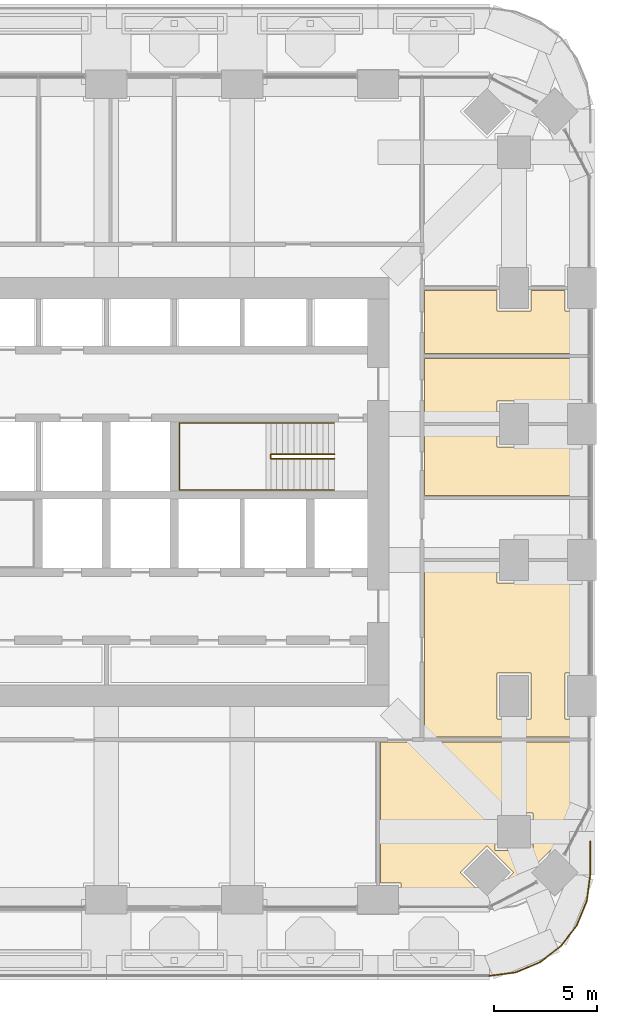
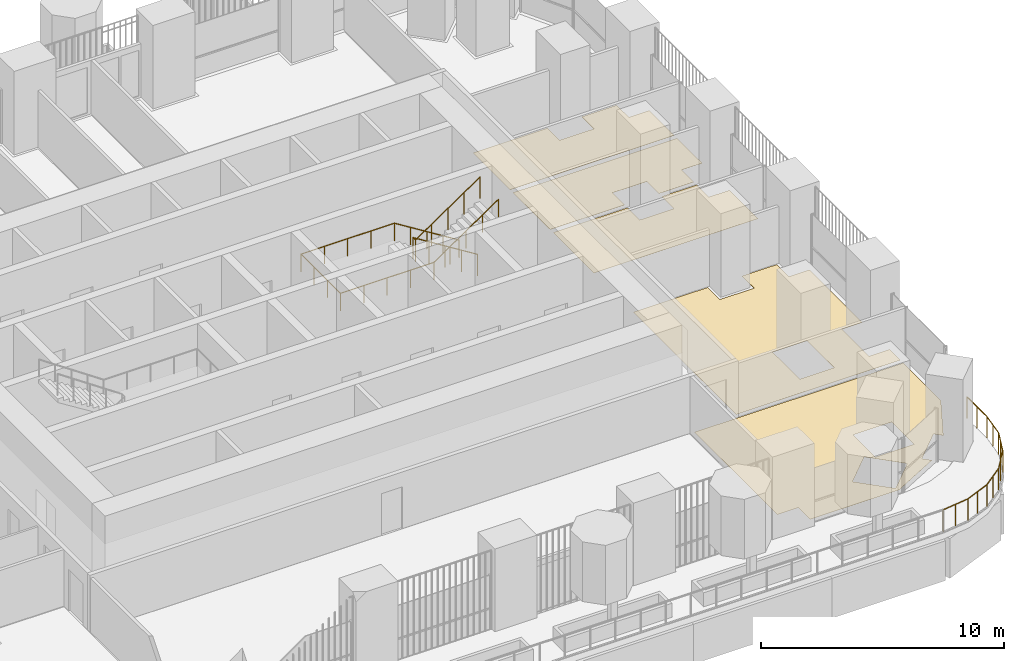
# One storey, part 19 of 22: 5 coverings, 3 railings.
"""IFC4 building model written with IfcOpenShell, lengths in metres."""

from ifc_helpers import new_model, si_unit, direction, frame, origin, place, context, subcontext, project, spatial, polyline, outline, extrude, material, layer, layer_set, type_object, element, save


model = new_model("IFC4")

# Units and contexts
model_context = context("Model", 3, precision=1e-05, world=origin(), true_north=direction((0.0, 1.0)))
body_context = subcontext(model_context, "Body", "Model", "MODEL_VIEW")
ifc_project = project(units=[si_unit("LENGTHUNIT", "METRE"), si_unit("AREAUNIT", "SQUARE_METRE"), si_unit("VOLUMEUNIT", "CUBIC_METRE"), si_unit("PLANEANGLEUNIT", "RADIAN"), si_unit("MASSUNIT", "GRAM", prefix="KILO")], contexts=[model_context])

# Site, building, storey
site_placement = place(None, origin())
site = spatial("IfcSite", under=ifc_project, at=site_placement, CompositionType="ELEMENT")
building_placement = place(site_placement, origin())
building = spatial("IfcBuilding", under=site, at=building_placement, Name="Cobogo Forest Laboratory Tower", CompositionType="ELEMENT")
storey_placement = place(building_placement, frame((0.0, 0.0, 155.699951171875)))
storey = spatial("IfcBuildingStorey", under=building, at=storey_placement, Name="L35", CompositionType="ELEMENT", Elevation=155.699951171875)

# Railing
ifc_material_1 = material(Name="Laminated glass balustrade", Category="glass")
railing_type_1 = type_object("IfcRailingType", Name="BG1 glass balustrade 1100", PredefinedType="GUARDRAIL", material=ifc_material_1)
railing_1_placement = place(storey_placement, frame((44.996826171875, -0.39990234375, 0.06005859375)))
element("IfcRailing", 1, at=railing_1_placement, inside=storey, type_object=railing_type_1, Name="Terrace balustrade TER-S L35", PredefinedType="GUARDRAIL", context=body_context, shape_type="SweptSolid", body=[
    extrude(outline(polyline([(0.022216796875, 0.00927734375), (0.00927734375, 0.022216796875), (-0.00927734375, 0.022216796875), (-0.022216796875, 0.00927734375), (-0.022216796875, -0.00927734375), (-0.00927734375, -0.022216796875), (0.00927734375, -0.022216796875), (0.022216796875, -0.00927734375), (0.022216796875, 0.00927734375)])), frame((0.0, 0.0, 1.077880859375), z_axis=(0.991457535682, 0.130429885144, 0.0), x_axis=(-0.130429885144, 0.991457535682, 0.0)), (0.0, 0.0, 1.0), 1.2822265625),
    extrude(outline(polyline([(0.022216796875, 0.00927734375), (0.00927734375, 0.022216796875), (-0.00927734375, 0.022216796875), (-0.022216796875, 0.00927734375), (-0.022216796875, -0.00927734375), (-0.00927734375, -0.022216796875), (0.00927734375, -0.022216796875), (0.022216796875, -0.00927734375), (0.022216796875, 0.00927734375)])), frame((1.271240234375, 0.167236328125, 1.077880859375), z_axis=(0.923865605463, 0.382717053503, 0.0), x_axis=(-0.382717053503, 0.923865605463, 0.0)), (0.0, 0.0, 1.0), 1.279052734375),
    extrude(outline(polyline([(0.022216796875, 0.00927734375), (0.00927734375, 0.022216796875), (-0.00927734375, 0.022216796875), (-0.022216796875, 0.00927734375), (-0.022216796875, -0.00927734375), (-0.00927734375, -0.022216796875), (0.00927734375, -0.022216796875), (0.022216796875, -0.00927734375), (0.022216796875, 0.00927734375)])), frame((2.452880859375, 0.65673828125, 1.077880859375), z_axis=(0.793425077956, 0.608667927256, 0.0), x_axis=(-0.608667927256, 0.793425077956, 0.0)), (0.0, 0.0, 1.0), 1.279052734375),
    extrude(outline(polyline([(0.022216796875, 0.00927734375), (0.00927734375, 0.022216796875), (-0.00927734375, 0.022216796875), (-0.022216796875, 0.00927734375), (-0.022216796875, -0.00927734375), (-0.00927734375, -0.022216796875), (0.00927734375, -0.022216796875), (0.022216796875, -0.00927734375), (0.022216796875, 0.00927734375)])), frame((3.4677734375, 1.435302734375, 1.077880859375), z_axis=(0.608667927256, 0.793425077956, 0.0), x_axis=(-0.793425077956, 0.608667927256, 0.0)), (0.0, 0.0, 1.0), 1.279052734375),
    extrude(outline(polyline([(0.022216796875, 0.00927734375), (0.00927734375, 0.022216796875), (-0.00927734375, 0.022216796875), (-0.022216796875, 0.00927734375), (-0.022216796875, -0.00927734375), (-0.00927734375, -0.022216796875), (0.00927734375, -0.022216796875), (0.022216796875, -0.00927734375), (0.022216796875, 0.00927734375)])), frame((4.246337890625, 2.4501953125, 1.077880859375), z_axis=(0.382717053503, 0.923865605463, 0.0), x_axis=(-0.923865605463, 0.382717053503, 0.0)), (0.0, 0.0, 1.0), 1.279052734375),
    extrude(outline(polyline([(0.022216796875, 0.00927734375), (0.00927734375, 0.022216796875), (-0.00927734375, 0.022216796875), (-0.022216796875, 0.00927734375), (-0.022216796875, -0.00927734375), (-0.00927734375, -0.022216796875), (0.00927734375, -0.022216796875), (0.022216796875, -0.00927734375), (0.022216796875, 0.00927734375)])), frame((4.73583984375, 3.6318359375, 1.077880859375), z_axis=(0.130429885144, 0.991457535682, 0.0), x_axis=(-0.991457535682, 0.130429885144, 0.0)), (0.0, 0.0, 1.0), 1.2822265625),
    extrude(outline(polyline([(0.022216796875, 0.00927734375), (0.00927734375, 0.022216796875), (-0.00927734375, 0.022216796875), (-0.022216796875, 0.00927734375), (-0.022216796875, -0.00927734375), (-0.00927734375, -0.022216796875), (0.00927734375, -0.022216796875), (0.022216796875, -0.00927734375), (0.022216796875, 0.00927734375)])), frame((4.903076171875, 4.903076171875, 1.077880859375), z_axis=(0.0, 1.0, 0.0), x_axis=(-1.0, 0.0, 0.0)), (0.0, 0.0, 1.0), 1.638916015625),
    extrude(outline(polyline([(0.019287109375, 0.008056640625), (0.008056640625, 0.019287109375), (-0.008056640625, 0.019287109375), (-0.019287109375, 0.008056640625), (-0.019287109375, -0.008056640625), (-0.008056640625, -0.019287109375), (0.008056640625, -0.019287109375), (0.019287109375, -0.008056640625), (0.019287109375, 0.008056640625)])), origin(), (0.0, 0.0, 1.0), 1.077880859375),
    extrude(outline(polyline([(0.019287109375, 0.008056640625), (0.008056640625, 0.019287109375), (-0.008056640625, 0.019287109375), (-0.019287109375, 0.008056640625), (-0.019287109375, -0.008056640625), (-0.008056640625, -0.019287109375), (0.008056640625, -0.019287109375), (0.019287109375, -0.008056640625), (0.019287109375, 0.008056640625)])), frame((0.6357421875, 0.08349609375, 0.0)), (0.0, 0.0, 1.0), 1.077880859375),
    extrude(outline(polyline([(0.019287109375, 0.008056640625), (0.008056640625, 0.019287109375), (-0.008056640625, 0.019287109375), (-0.019287109375, 0.008056640625), (-0.019287109375, -0.008056640625), (-0.008056640625, -0.019287109375), (0.008056640625, -0.019287109375), (0.019287109375, -0.008056640625), (0.019287109375, 0.008056640625)])), frame((1.271240234375, 0.167236328125, 0.0)), (0.0, 0.0, 1.0), 1.077880859375),
    extrude(outline(polyline([(0.019287109375, 0.008056640625), (0.008056640625, 0.019287109375), (-0.008056640625, 0.019287109375), (-0.019287109375, 0.008056640625), (-0.019287109375, -0.008056640625), (-0.008056640625, -0.019287109375), (0.008056640625, -0.019287109375), (0.019287109375, -0.008056640625), (0.019287109375, 0.008056640625)])), frame((1.862060546875, 0.412109375, 0.0)), (0.0, 0.0, 1.0), 1.077880859375),
    extrude(outline(polyline([(0.019287109375, 0.008056640625), (0.008056640625, 0.019287109375), (-0.008056640625, 0.019287109375), (-0.019287109375, 0.008056640625), (-0.019287109375, -0.008056640625), (-0.008056640625, -0.019287109375), (0.008056640625, -0.019287109375), (0.019287109375, -0.008056640625), (0.019287109375, 0.008056640625)])), frame((2.452880859375, 0.65673828125, 0.0)), (0.0, 0.0, 1.0), 1.077880859375),
    extrude(outline(polyline([(0.019287109375, 0.008056640625), (0.008056640625, 0.019287109375), (-0.008056640625, 0.019287109375), (-0.019287109375, 0.008056640625), (-0.019287109375, -0.008056640625), (-0.008056640625, -0.019287109375), (0.008056640625, -0.019287109375), (0.019287109375, -0.008056640625), (0.019287109375, 0.008056640625)])), frame((2.96044921875, 1.0458984375, 0.0)), (0.0, 0.0, 1.0), 1.077880859375),
    extrude(outline(polyline([(0.019287109375, 0.008056640625), (0.008056640625, 0.019287109375), (-0.008056640625, 0.019287109375), (-0.019287109375, 0.008056640625), (-0.019287109375, -0.008056640625), (-0.008056640625, -0.019287109375), (0.008056640625, -0.019287109375), (0.019287109375, -0.008056640625), (0.019287109375, 0.008056640625)])), frame((3.4677734375, 1.435302734375, 0.0)), (0.0, 0.0, 1.0), 1.077880859375),
    extrude(outline(polyline([(0.019287109375, 0.008056640625), (0.008056640625, 0.019287109375), (-0.008056640625, 0.019287109375), (-0.019287109375, 0.008056640625), (-0.019287109375, -0.008056640625), (-0.008056640625, -0.019287109375), (0.008056640625, -0.019287109375), (0.019287109375, -0.008056640625), (0.019287109375, 0.008056640625)])), frame((3.85693359375, 1.94287109375, 0.0)), (0.0, 0.0, 1.0), 1.077880859375),
    extrude(outline(polyline([(0.019287109375, 0.008056640625), (0.008056640625, 0.019287109375), (-0.008056640625, 0.019287109375), (-0.019287109375, 0.008056640625), (-0.019287109375, -0.008056640625), (-0.008056640625, -0.019287109375), (0.008056640625, -0.019287109375), (0.019287109375, -0.008056640625), (0.019287109375, 0.008056640625)])), frame((4.246337890625, 2.4501953125, 0.0)), (0.0, 0.0, 1.0), 1.077880859375),
    extrude(outline(polyline([(0.019287109375, 0.008056640625), (0.008056640625, 0.019287109375), (-0.008056640625, 0.019287109375), (-0.019287109375, 0.008056640625), (-0.019287109375, -0.008056640625), (-0.008056640625, -0.019287109375), (0.008056640625, -0.019287109375), (0.019287109375, -0.008056640625), (0.019287109375, 0.008056640625)])), frame((4.4912109375, 3.041015625, 0.0)), (0.0, 0.0, 1.0), 1.077880859375),
    extrude(outline(polyline([(0.019287109375, 0.008056640625), (0.008056640625, 0.019287109375), (-0.008056640625, 0.019287109375), (-0.019287109375, 0.008056640625), (-0.019287109375, -0.008056640625), (-0.008056640625, -0.019287109375), (0.008056640625, -0.019287109375), (0.019287109375, -0.008056640625), (0.019287109375, 0.008056640625)])), frame((4.73583984375, 3.6318359375, 0.0)), (0.0, 0.0, 1.0), 1.077880859375),
    extrude(outline(polyline([(0.019287109375, 0.008056640625), (0.008056640625, 0.019287109375), (-0.008056640625, 0.019287109375), (-0.019287109375, 0.008056640625), (-0.019287109375, -0.008056640625), (-0.008056640625, -0.019287109375), (0.008056640625, -0.019287109375), (0.019287109375, -0.008056640625), (0.019287109375, 0.008056640625)])), frame((4.8193359375, 4.267578125, 0.0)), (0.0, 0.0, 1.0), 1.077880859375),
    extrude(outline(polyline([(0.019287109375, 0.008056640625), (0.008056640625, 0.019287109375), (-0.008056640625, 0.019287109375), (-0.019287109375, 0.008056640625), (-0.019287109375, -0.008056640625), (-0.008056640625, -0.019287109375), (0.008056640625, -0.019287109375), (0.019287109375, -0.008056640625), (0.019287109375, 0.008056640625)])), frame((4.903076171875, 4.903076171875, 0.0)), (0.0, 0.0, 1.0), 1.077880859375),
    extrude(outline(polyline([(0.019287109375, 0.008056640625), (0.008056640625, 0.019287109375), (-0.008056640625, 0.019287109375), (-0.019287109375, 0.008056640625), (-0.019287109375, -0.008056640625), (-0.008056640625, -0.019287109375), (0.008056640625, -0.019287109375), (0.019287109375, -0.008056640625), (0.019287109375, 0.008056640625)])), frame((4.903076171875, 5.72265625, 0.0)), (0.0, 0.0, 1.0), 1.077880859375),
    extrude(outline(polyline([(0.019287109375, 0.008056640625), (0.008056640625, 0.019287109375), (-0.008056640625, 0.019287109375), (-0.019287109375, 0.008056640625), (-0.019287109375, -0.008056640625), (-0.008056640625, -0.019287109375), (0.008056640625, -0.019287109375), (0.019287109375, -0.008056640625), (0.019287109375, 0.008056640625)])), frame((4.903076171875, 6.5419921875, 0.0)), (0.0, 0.0, 1.0), 1.077880859375),
])

# Coverings
ifc_material_2 = material(Name="Carpet tile on raised access floor", Category="flooring")
ifc_layer_1 = layer(ifc_material_2, 0.008056640625)
ifc_layer_set_1 = layer_set([ifc_layer_1], Name="CT1 carpet tile floor 8")
covering_type_1 = type_object("IfcCoveringType", Name="CT1 carpet tile floor 8", PredefinedType="FLOORING", material=ifc_layer_set_1)
covering_1_placement = place(storey_placement, origin())
element("IfcCovering", 2, at=covering_1_placement, inside=storey, type_object=covering_type_1, Name="Carpet floor L35-06", PredefinedType="FLOORING", context=body_context, shape_type="SweptSolid", body=[
    extrude(outline(polyline([(41.844970703125, 29.580078125), (49.64990234375, 29.580078125), (49.64990234375, 27.52001953125), (48.679931640625, 27.52001953125), (48.679931640625, 26.52001953125), (47.02001953125, 26.52001953125), (47.02001953125, 27.52001953125), (45.3798828125, 27.52001953125), (45.3798828125, 26.52001953125), (41.844970703125, 26.52001953125), (41.844970703125, 29.580078125)])), origin(), (0.0, 0.0, 1.0), 0.008056640625),
])
covering_2_placement = place(storey_placement, origin())
element("IfcCovering", 3, at=covering_2_placement, inside=storey, type_object=covering_type_1, Name="Carpet floor L35-07", PredefinedType="FLOORING", context=body_context, shape_type="SweptSolid", body=[
    extrude(outline(polyline([(41.844970703125, 32.8798828125), (45.3798828125, 32.8798828125), (45.3798828125, 31.8798828125), (47.02001953125, 31.8798828125), (47.02001953125, 32.8798828125), (48.679931640625, 32.8798828125), (48.679931640625, 31.8798828125), (49.64990234375, 31.8798828125), (49.64990234375, 29.820068359375), (41.844970703125, 29.820068359375), (41.844970703125, 32.8798828125)])), origin(), (0.0, 0.0, 1.0), 0.008056640625),
])

# Railings
ifc_material_3 = material(Name="Steel balustrade", Category="steel")
railing_type_2 = type_object("IfcRailingType", Name="GR stair guard 1100", PredefinedType="GUARDRAIL", material=ifc_material_3)
railing_2_placement = place(storey_placement, frame((37.47509765625, 24.929931640625, 0.175048828125)))
element("IfcRailing", 4, at=railing_2_placement, inside=storey, type_object=railing_type_2, Name="Stair guard ST2 L35", PredefinedType="GUARDRAIL", context=body_context, shape_type="SweptSolid", body=[
    extrude(outline(polyline([(0.022216796875, 0.00927734375), (0.00927734375, 0.022216796875), (-0.00927734375, 0.022216796875), (-0.022216796875, 0.00927734375), (-0.022216796875, -0.00927734375), (-0.00927734375, -0.022216796875), (0.00927734375, -0.022216796875), (0.022216796875, -0.00927734375), (0.022216796875, 0.00927734375)])), frame((0.0, 0.0, 1.077880859375), z_axis=(-0.847998304005, 0.0, 0.529998940003), x_axis=(0.0, -1.0, 0.0)), (0.0, 0.0, 1.0), 3.632080078125),
    extrude(outline(polyline([(0.022216796875, 0.00927734375), (0.00927734375, 0.022216796875), (-0.00927734375, 0.022216796875), (-0.022216796875, 0.00927734375), (-0.022216796875, -0.00927734375), (-0.00927734375, -0.022216796875), (0.00927734375, -0.022216796875), (0.022216796875, -0.00927734375), (0.022216796875, 0.00927734375)])), frame((-3.080078125, 0.0, 3.0029296875), z_axis=(0.0, -1.0, 0.0), x_axis=(1.0, 0.0, 0.0)), (0.0, 0.0, 1.0), 0.2099609375),
    extrude(outline(polyline([(0.022216796875, 0.00927734375), (0.00927734375, 0.022216796875), (-0.00927734375, 0.022216796875), (-0.022216796875, 0.00927734375), (-0.022216796875, -0.00927734375), (-0.00927734375, -0.022216796875), (0.00927734375, -0.022216796875), (0.022216796875, -0.00927734375), (0.022216796875, 0.00927734375)])), frame((-3.080078125, -0.2099609375, 3.0029296875), z_axis=(0.826252282691, 0.0, 0.563300244406), x_axis=(0.0, 1.0, 0.0)), (0.0, 0.0, 1.0), 3.727783203125),
    extrude(outline(polyline([(0.019287109375, 0.008056640625), (0.008056640625, 0.019287109375), (-0.008056640625, 0.019287109375), (-0.019287109375, 0.008056640625), (-0.019287109375, -0.008056640625), (-0.008056640625, -0.019287109375), (0.008056640625, -0.019287109375), (0.019287109375, -0.008056640625), (0.019287109375, 0.008056640625)])), origin(), (0.0, 0.0, 1.0), 1.077880859375),
    extrude(outline(polyline([(0.019287109375, 0.008056640625), (0.008056640625, 0.019287109375), (-0.008056640625, 0.019287109375), (-0.019287109375, 0.008056640625), (-0.019287109375, -0.008056640625), (-0.008056640625, -0.019287109375), (0.008056640625, -0.019287109375), (0.019287109375, -0.008056640625), (0.019287109375, 0.008056640625)])), frame((-0.77001953125, 0.0, 0.481201171875)), (0.0, 0.0, 1.0), 1.077880859375),
    extrude(outline(polyline([(0.019287109375, 0.008056640625), (0.008056640625, 0.019287109375), (-0.008056640625, 0.019287109375), (-0.019287109375, 0.008056640625), (-0.019287109375, -0.008056640625), (-0.008056640625, -0.019287109375), (0.008056640625, -0.019287109375), (0.019287109375, -0.008056640625), (0.019287109375, 0.008056640625)])), frame((-1.5400390625, 0.0, 0.96240234375)), (0.0, 0.0, 1.0), 1.077880859375),
    extrude(outline(polyline([(0.019287109375, 0.008056640625), (0.008056640625, 0.019287109375), (-0.008056640625, 0.019287109375), (-0.019287109375, 0.008056640625), (-0.019287109375, -0.008056640625), (-0.008056640625, -0.019287109375), (0.008056640625, -0.019287109375), (0.019287109375, -0.008056640625), (0.019287109375, 0.008056640625)])), frame((-2.31005859375, 0.0, 1.44384765625)), (0.0, 0.0, 1.0), 1.077880859375),
    extrude(outline(polyline([(0.019287109375, 0.008056640625), (0.008056640625, 0.019287109375), (-0.008056640625, 0.019287109375), (-0.019287109375, 0.008056640625), (-0.019287109375, -0.008056640625), (-0.008056640625, -0.019287109375), (0.008056640625, -0.019287109375), (0.019287109375, -0.008056640625), (0.019287109375, 0.008056640625)])), frame((-3.080078125, 0.0, 1.925048828125)), (0.0, 0.0, 1.0), 1.077880859375),
    extrude(outline(polyline([(0.019287109375, 0.008056640625), (0.008056640625, 0.019287109375), (-0.008056640625, 0.019287109375), (-0.019287109375, 0.008056640625), (-0.019287109375, -0.008056640625), (-0.008056640625, -0.019287109375), (0.008056640625, -0.019287109375), (0.019287109375, -0.008056640625), (0.019287109375, 0.008056640625)])), frame((-3.080078125, -0.2099609375, 1.925048828125)), (0.0, 0.0, 1.0), 1.077880859375),
    extrude(outline(polyline([(0.019287109375, 0.008056640625), (0.008056640625, 0.019287109375), (-0.008056640625, 0.019287109375), (-0.019287109375, 0.008056640625), (-0.019287109375, -0.008056640625), (-0.008056640625, -0.019287109375), (0.008056640625, -0.019287109375), (0.019287109375, -0.008056640625), (0.019287109375, 0.008056640625)])), frame((-2.31005859375, -0.2099609375, 2.449951171875)), (0.0, 0.0, 1.0), 1.077880859375),
    extrude(outline(polyline([(0.019287109375, 0.008056640625), (0.008056640625, 0.019287109375), (-0.008056640625, 0.019287109375), (-0.019287109375, 0.008056640625), (-0.019287109375, -0.008056640625), (-0.008056640625, -0.019287109375), (0.008056640625, -0.019287109375), (0.019287109375, -0.008056640625), (0.019287109375, 0.008056640625)])), frame((-1.5400390625, -0.2099609375, 2.97509765625)), (0.0, 0.0, 1.0), 1.077880859375),
    extrude(outline(polyline([(0.019287109375, 0.008056640625), (0.008056640625, 0.019287109375), (-0.008056640625, 0.019287109375), (-0.019287109375, 0.008056640625), (-0.019287109375, -0.008056640625), (-0.008056640625, -0.019287109375), (0.008056640625, -0.019287109375), (0.019287109375, -0.008056640625), (0.019287109375, 0.008056640625)])), frame((-0.77001953125, -0.2099609375, 3.5)), (0.0, 0.0, 1.0), 1.077880859375),
    extrude(outline(polyline([(0.019287109375, 0.008056640625), (0.008056640625, 0.019287109375), (-0.008056640625, 0.019287109375), (-0.019287109375, 0.008056640625), (-0.019287109375, -0.008056640625), (-0.008056640625, -0.019287109375), (0.008056640625, -0.019287109375), (0.019287109375, -0.008056640625), (0.019287109375, 0.008056640625)])), frame((0.0, -0.2099609375, 4.02490234375)), (0.0, 0.0, 1.0), 1.077880859375),
])
ifc_material_4 = material(Name="Stainless steel handrail", Category="steel")
railing_type_3 = type_object("IfcRailingType", Name="HR handrail 900", PredefinedType="HANDRAIL", material=ifc_material_4)
railing_3_placement = place(storey_placement, frame((37.47509765625, 26.449951171875, 0.175048828125)))
element("IfcRailing", 5, at=railing_3_placement, inside=storey, type_object=railing_type_3, Name="Stair handrail ST2 L35", PredefinedType="HANDRAIL", context=body_context, shape_type="SweptSolid", body=[
    extrude(outline(polyline([(0.022216796875, 0.00927734375), (0.00927734375, 0.022216796875), (-0.00927734375, 0.022216796875), (-0.022216796875, 0.00927734375), (-0.022216796875, -0.00927734375), (-0.00927734375, -0.022216796875), (0.00927734375, -0.022216796875), (0.022216796875, -0.00927734375), (0.022216796875, 0.00927734375)])), frame((0.0, 0.0, 0.877685546875), z_axis=(-0.847998304005, 0.0, 0.529998940003), x_axis=(0.0, -1.0, 0.0)), (0.0, 0.0, 1.0), 3.632080078125),
    extrude(outline(polyline([(0.022216796875, 0.00927734375), (0.00927734375, 0.022216796875), (-0.00927734375, 0.022216796875), (-0.022216796875, 0.00927734375), (-0.022216796875, -0.00927734375), (-0.00927734375, -0.022216796875), (0.00927734375, -0.022216796875), (0.022216796875, -0.00927734375), (0.022216796875, 0.00927734375)])), frame((-3.080078125, 0.0, 2.802734375), z_axis=(-1.0, 0.0, 0.0), x_axis=(0.0, -1.0, 0.0)), (0.0, 0.0, 1.0), 4.445068359375),
    extrude(outline(polyline([(0.022216796875, 0.00927734375), (0.00927734375, 0.022216796875), (-0.00927734375, 0.022216796875), (-0.022216796875, 0.00927734375), (-0.022216796875, -0.00927734375), (-0.00927734375, -0.022216796875), (0.00927734375, -0.022216796875), (0.022216796875, -0.00927734375), (0.022216796875, 0.00927734375)])), frame((-7.525146484375, 0.0, 2.802734375), z_axis=(0.0, -1.0, 0.0), x_axis=(1.0, 0.0, 0.0)), (0.0, 0.0, 1.0), 3.25),
    extrude(outline(polyline([(0.022216796875, 0.00927734375), (0.00927734375, 0.022216796875), (-0.00927734375, 0.022216796875), (-0.022216796875, 0.00927734375), (-0.022216796875, -0.00927734375), (-0.00927734375, -0.022216796875), (0.00927734375, -0.022216796875), (0.022216796875, -0.00927734375), (0.022216796875, 0.00927734375)])), frame((-7.525146484375, -3.25, 2.802734375), z_axis=(1.0, 0.0, 0.0), x_axis=(0.0, 1.0, 0.0)), (0.0, 0.0, 1.0), 4.445068359375),
    extrude(outline(polyline([(0.022216796875, 0.00927734375), (0.00927734375, 0.022216796875), (-0.00927734375, 0.022216796875), (-0.022216796875, 0.00927734375), (-0.022216796875, -0.00927734375), (-0.00927734375, -0.022216796875), (0.00927734375, -0.022216796875), (0.022216796875, -0.00927734375), (0.022216796875, 0.00927734375)])), frame((-3.080078125, -3.25, 2.802734375), z_axis=(0.826252282691, 0.0, 0.563300244406), x_axis=(0.0, 1.0, 0.0)), (0.0, 0.0, 1.0), 3.727783203125),
    extrude(outline(polyline([(0.019287109375, 0.008056640625), (0.008056640625, 0.019287109375), (-0.008056640625, 0.019287109375), (-0.019287109375, 0.008056640625), (-0.019287109375, -0.008056640625), (-0.008056640625, -0.019287109375), (0.008056640625, -0.019287109375), (0.019287109375, -0.008056640625), (0.019287109375, 0.008056640625)])), origin(), (0.0, 0.0, 1.0), 0.877685546875),
    extrude(outline(polyline([(0.019287109375, 0.008056640625), (0.008056640625, 0.019287109375), (-0.008056640625, 0.019287109375), (-0.019287109375, 0.008056640625), (-0.019287109375, -0.008056640625), (-0.008056640625, -0.019287109375), (0.008056640625, -0.019287109375), (0.019287109375, -0.008056640625), (0.019287109375, 0.008056640625)])), frame((-0.77001953125, 0.0, 0.481201171875)), (0.0, 0.0, 1.0), 0.877685546875),
    extrude(outline(polyline([(0.019287109375, 0.008056640625), (0.008056640625, 0.019287109375), (-0.008056640625, 0.019287109375), (-0.019287109375, 0.008056640625), (-0.019287109375, -0.008056640625), (-0.008056640625, -0.019287109375), (0.008056640625, -0.019287109375), (0.019287109375, -0.008056640625), (0.019287109375, 0.008056640625)])), frame((-1.5400390625, 0.0, 0.96240234375)), (0.0, 0.0, 1.0), 0.877685546875),
    extrude(outline(polyline([(0.019287109375, 0.008056640625), (0.008056640625, 0.019287109375), (-0.008056640625, 0.019287109375), (-0.019287109375, 0.008056640625), (-0.019287109375, -0.008056640625), (-0.008056640625, -0.019287109375), (0.008056640625, -0.019287109375), (0.019287109375, -0.008056640625), (0.019287109375, 0.008056640625)])), frame((-2.31005859375, 0.0, 1.44384765625)), (0.0, 0.0, 1.0), 0.877685546875),
    extrude(outline(polyline([(0.019287109375, 0.008056640625), (0.008056640625, 0.019287109375), (-0.008056640625, 0.019287109375), (-0.019287109375, 0.008056640625), (-0.019287109375, -0.008056640625), (-0.008056640625, -0.019287109375), (0.008056640625, -0.019287109375), (0.019287109375, -0.008056640625), (0.019287109375, 0.008056640625)])), frame((-3.080078125, 0.0, 1.925048828125)), (0.0, 0.0, 1.0), 0.877685546875),
    extrude(outline(polyline([(0.019287109375, 0.008056640625), (0.008056640625, 0.019287109375), (-0.008056640625, 0.019287109375), (-0.019287109375, 0.008056640625), (-0.019287109375, -0.008056640625), (-0.008056640625, -0.019287109375), (0.008056640625, -0.019287109375), (0.019287109375, -0.008056640625), (0.019287109375, 0.008056640625)])), frame((-4.19140625, 0.0, 1.925048828125)), (0.0, 0.0, 1.0), 0.877685546875),
    extrude(outline(polyline([(0.019287109375, 0.008056640625), (0.008056640625, 0.019287109375), (-0.008056640625, 0.019287109375), (-0.019287109375, 0.008056640625), (-0.019287109375, -0.008056640625), (-0.008056640625, -0.019287109375), (0.008056640625, -0.019287109375), (0.019287109375, -0.008056640625), (0.019287109375, 0.008056640625)])), frame((-5.302734375, 0.0, 1.925048828125)), (0.0, 0.0, 1.0), 0.877685546875),
    extrude(outline(polyline([(0.019287109375, 0.008056640625), (0.008056640625, 0.019287109375), (-0.008056640625, 0.019287109375), (-0.019287109375, 0.008056640625), (-0.019287109375, -0.008056640625), (-0.008056640625, -0.019287109375), (0.008056640625, -0.019287109375), (0.019287109375, -0.008056640625), (0.019287109375, 0.008056640625)])), frame((-6.413818359375, 0.0, 1.925048828125)), (0.0, 0.0, 1.0), 0.877685546875),
    extrude(outline(polyline([(0.019287109375, 0.008056640625), (0.008056640625, 0.019287109375), (-0.008056640625, 0.019287109375), (-0.019287109375, 0.008056640625), (-0.019287109375, -0.008056640625), (-0.008056640625, -0.019287109375), (0.008056640625, -0.019287109375), (0.019287109375, -0.008056640625), (0.019287109375, 0.008056640625)])), frame((-7.525146484375, 0.0, 1.925048828125)), (0.0, 0.0, 1.0), 0.877685546875),
    extrude(outline(polyline([(0.019287109375, 0.008056640625), (0.008056640625, 0.019287109375), (-0.008056640625, 0.019287109375), (-0.019287109375, 0.008056640625), (-0.019287109375, -0.008056640625), (-0.008056640625, -0.019287109375), (0.008056640625, -0.019287109375), (0.019287109375, -0.008056640625), (0.019287109375, 0.008056640625)])), frame((-7.525146484375, -1.083251953125, 1.925048828125)), (0.0, 0.0, 1.0), 0.877685546875),
    extrude(outline(polyline([(0.019287109375, 0.008056640625), (0.008056640625, 0.019287109375), (-0.008056640625, 0.019287109375), (-0.019287109375, 0.008056640625), (-0.019287109375, -0.008056640625), (-0.008056640625, -0.019287109375), (0.008056640625, -0.019287109375), (0.019287109375, -0.008056640625), (0.019287109375, 0.008056640625)])), frame((-7.525146484375, -2.166748046875, 1.925048828125)), (0.0, 0.0, 1.0), 0.877685546875),
    extrude(outline(polyline([(0.019287109375, 0.008056640625), (0.008056640625, 0.019287109375), (-0.008056640625, 0.019287109375), (-0.019287109375, 0.008056640625), (-0.019287109375, -0.008056640625), (-0.008056640625, -0.019287109375), (0.008056640625, -0.019287109375), (0.019287109375, -0.008056640625), (0.019287109375, 0.008056640625)])), frame((-7.525146484375, -3.25, 1.925048828125)), (0.0, 0.0, 1.0), 0.877685546875),
    extrude(outline(polyline([(0.019287109375, 0.008056640625), (0.008056640625, 0.019287109375), (-0.008056640625, 0.019287109375), (-0.019287109375, 0.008056640625), (-0.019287109375, -0.008056640625), (-0.008056640625, -0.019287109375), (0.008056640625, -0.019287109375), (0.019287109375, -0.008056640625), (0.019287109375, 0.008056640625)])), frame((-6.413818359375, -3.25, 1.925048828125)), (0.0, 0.0, 1.0), 0.877685546875),
    extrude(outline(polyline([(0.019287109375, 0.008056640625), (0.008056640625, 0.019287109375), (-0.008056640625, 0.019287109375), (-0.019287109375, 0.008056640625), (-0.019287109375, -0.008056640625), (-0.008056640625, -0.019287109375), (0.008056640625, -0.019287109375), (0.019287109375, -0.008056640625), (0.019287109375, 0.008056640625)])), frame((-5.302734375, -3.25, 1.925048828125)), (0.0, 0.0, 1.0), 0.877685546875),
    extrude(outline(polyline([(0.019287109375, 0.008056640625), (0.008056640625, 0.019287109375), (-0.008056640625, 0.019287109375), (-0.019287109375, 0.008056640625), (-0.019287109375, -0.008056640625), (-0.008056640625, -0.019287109375), (0.008056640625, -0.019287109375), (0.019287109375, -0.008056640625), (0.019287109375, 0.008056640625)])), frame((-4.19140625, -3.25, 1.925048828125)), (0.0, 0.0, 1.0), 0.877685546875),
    extrude(outline(polyline([(0.019287109375, 0.008056640625), (0.008056640625, 0.019287109375), (-0.008056640625, 0.019287109375), (-0.019287109375, 0.008056640625), (-0.019287109375, -0.008056640625), (-0.008056640625, -0.019287109375), (0.008056640625, -0.019287109375), (0.019287109375, -0.008056640625), (0.019287109375, 0.008056640625)])), frame((-3.080078125, -3.25, 1.925048828125)), (0.0, 0.0, 1.0), 0.877685546875),
    extrude(outline(polyline([(0.019287109375, 0.008056640625), (0.008056640625, 0.019287109375), (-0.008056640625, 0.019287109375), (-0.019287109375, 0.008056640625), (-0.019287109375, -0.008056640625), (-0.008056640625, -0.019287109375), (0.008056640625, -0.019287109375), (0.019287109375, -0.008056640625), (0.019287109375, 0.008056640625)])), frame((-2.31005859375, -3.25, 2.449951171875)), (0.0, 0.0, 1.0), 0.877685546875),
    extrude(outline(polyline([(0.019287109375, 0.008056640625), (0.008056640625, 0.019287109375), (-0.008056640625, 0.019287109375), (-0.019287109375, 0.008056640625), (-0.019287109375, -0.008056640625), (-0.008056640625, -0.019287109375), (0.008056640625, -0.019287109375), (0.019287109375, -0.008056640625), (0.019287109375, 0.008056640625)])), frame((-1.5400390625, -3.25, 2.97509765625)), (0.0, 0.0, 1.0), 0.877685546875),
    extrude(outline(polyline([(0.019287109375, 0.008056640625), (0.008056640625, 0.019287109375), (-0.008056640625, 0.019287109375), (-0.019287109375, 0.008056640625), (-0.019287109375, -0.008056640625), (-0.008056640625, -0.019287109375), (0.008056640625, -0.019287109375), (0.019287109375, -0.008056640625), (0.019287109375, 0.008056640625)])), frame((-0.77001953125, -3.25, 3.5)), (0.0, 0.0, 1.0), 0.877685546875),
    extrude(outline(polyline([(0.019287109375, 0.008056640625), (0.008056640625, 0.019287109375), (-0.008056640625, 0.019287109375), (-0.019287109375, 0.008056640625), (-0.019287109375, -0.008056640625), (-0.008056640625, -0.019287109375), (0.008056640625, -0.019287109375), (0.019287109375, -0.008056640625), (0.019287109375, 0.008056640625)])), frame((0.0, -3.25, 4.02490234375)), (0.0, 0.0, 1.0), 0.877685546875),
])

# Coverings
ifc_material_5 = material(Name="Static-dissipative vinyl flooring", Category="flooring")
ifc_layer_2 = layer(ifc_material_5, 0.0029296875)
ifc_layer_set_2 = layer_set([ifc_layer_2], Name="SD1 static-dissipative vinyl floor 3")
covering_type_2 = type_object("IfcCoveringType", Name="SD1 static-dissipative vinyl floor 3", PredefinedType="FLOORING", material=ifc_layer_set_2)
covering_3_placement = place(storey_placement, origin())
element("IfcCovering", 6, at=covering_3_placement, inside=storey, type_object=covering_type_2, Name="Static-dissipative floor L35-02", PredefinedType="FLOORING", context=body_context, shape_type="SweptSolid", body=[
    extrude(outline(polyline([(49.64990234375, 10.955078125), (49.64990234375, 7.84912109375), (48.481201171875, 5.619873046875), (48.181884765625, 5.919189453125), (46.880859375, 4.617919921875), (47.18017578125, 4.318603515625), (44.95068359375, 3.14990234375), (40.719970703125, 3.14990234375), (40.719970703125, 4.1201171875), (39.719970703125, 4.1201171875), (39.719970703125, 10.955078125), (49.64990234375, 10.955078125)]), holes=[polyline([(45.280029296875, 5.679931640625), (47.1201171875, 5.679931640625), (47.1201171875, 7.52001953125), (45.280029296875, 7.52001953125), (45.280029296875, 5.679931640625)]), polyline([(44.882080078125, 3.31689453125), (46.18310546875, 4.617919921875), (44.882080078125, 5.919189453125), (43.580810546875, 4.617919921875), (44.882080078125, 3.31689453125)])]), origin(), (0.0, 0.0, 1.0), 0.0029296875),
])
covering_4_placement = place(storey_placement, origin())
element("IfcCovering", 7, at=covering_4_placement, inside=storey, type_object=covering_type_2, Name="Static-dissipative floor L35-03", PredefinedType="FLOORING", context=body_context, shape_type="SweptSolid", body=[
    extrude(outline(polyline([(41.844970703125, 19.679931640625), (45.3798828125, 19.679931640625), (45.3798828125, 18.679931640625), (47.02001953125, 18.679931640625), (47.02001953125, 19.679931640625), (48.679931640625, 19.679931640625), (48.679931640625, 18.679931640625), (49.64990234375, 18.679931640625), (49.64990234375, 14.320068359375), (48.679931640625, 14.320068359375), (48.679931640625, 12.080078125), (49.64990234375, 12.080078125), (49.64990234375, 11.195068359375), (41.844970703125, 11.195068359375), (41.844970703125, 19.679931640625)]), holes=[polyline([(47.02001953125, 12.080078125), (47.02001953125, 14.320068359375), (45.3798828125, 14.320068359375), (45.3798828125, 12.080078125), (47.02001953125, 12.080078125)])]), origin(), (0.0, 0.0, 1.0), 0.0029296875),
])
covering_5_placement = place(storey_placement, origin())
element("IfcCovering", 8, at=covering_5_placement, inside=storey, type_object=covering_type_2, Name="Static-dissipative floor L35-05", PredefinedType="FLOORING", context=body_context, shape_type="SweptSolid", body=[
    extrude(outline(polyline([(41.844970703125, 26.280029296875), (45.3798828125, 26.280029296875), (45.3798828125, 25.280029296875), (47.02001953125, 25.280029296875), (47.02001953125, 26.280029296875), (48.679931640625, 26.280029296875), (48.679931640625, 25.280029296875), (49.64990234375, 25.280029296875), (49.64990234375, 22.919921875), (41.844970703125, 22.919921875), (41.844970703125, 26.280029296875)])), origin(), (0.0, 0.0, 1.0), 0.0029296875),
])

save(model, "model.ifc")
